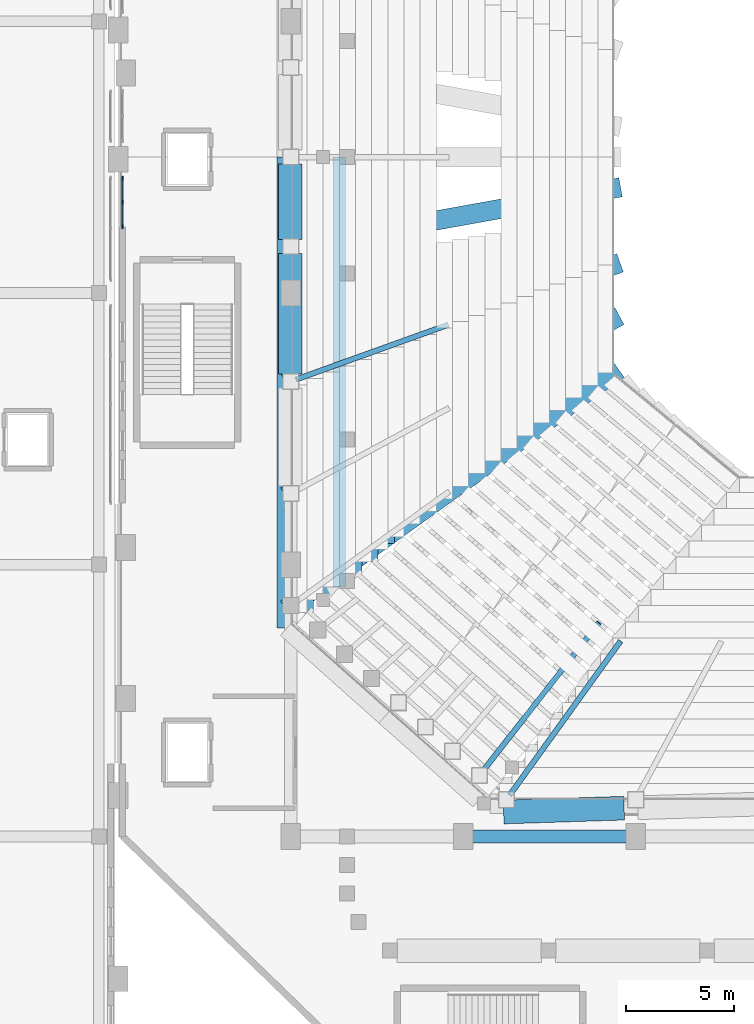
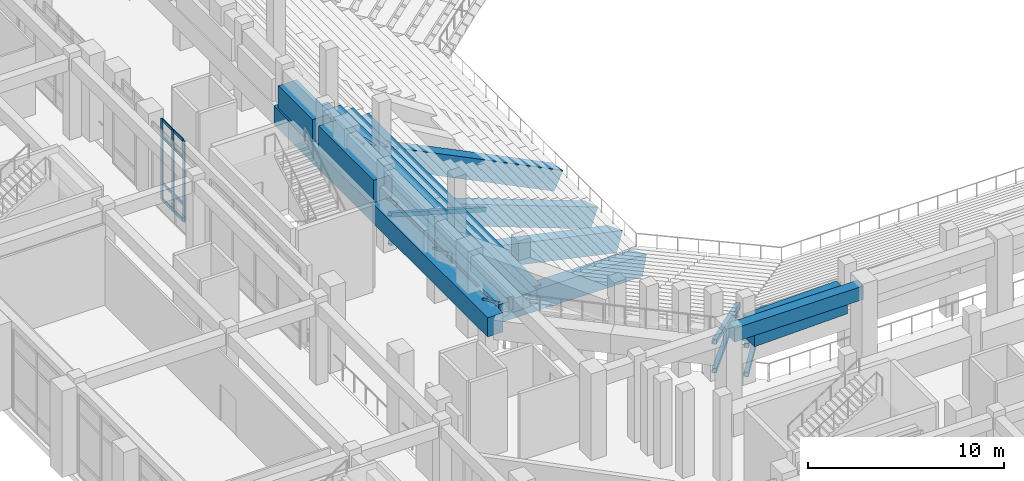
# One storey, part 30 of 159: 17 members, 15 beams, 1 element without a shape of its own.
"""IFC4 building model written with IfcOpenShell, lengths in metres."""

from ifc_helpers import new_model, si_unit, derived_unit, direction, frame, origin, origin_2d, place, context, subcontext, project, spatial, rectangle, hollow_rectangle, extrude, material, layer, layer_set, material_profile, profile_set, type_object, element, aggregate, save


model = new_model("IFC4")

# Units and contexts
model_context = context("Model", 3, precision=1e-05, world=origin(), true_north=direction((0.0, 1.0)))
body_context = subcontext(model_context, "Body", "Model", "MODEL_VIEW")
ifc_project = project(units=[si_unit("LENGTHUNIT", "METRE"), si_unit("AREAUNIT", "SQUARE_METRE"), si_unit("VOLUMEUNIT", "CUBIC_METRE"), si_unit("PLANEANGLEUNIT", "RADIAN"), si_unit("MASSUNIT", "GRAM", prefix="KILO"), derived_unit("THERMALTRANSMITTANCEUNIT", [(si_unit("MASSUNIT", "GRAM", prefix="KILO"), 1), (si_unit("TIMEUNIT", "SECOND"), -3), (si_unit("THERMODYNAMICTEMPERATUREUNIT", "KELVIN"), -1)])], contexts=[model_context])

# Site, building, storey
site_placement = place(None, origin())
site = spatial("IfcSite", under=ifc_project, at=site_placement, CompositionType="ELEMENT")
building_placement = place(site_placement, origin())
building = spatial("IfcBuilding", under=site, at=building_placement, Name="Valcora Ridge Arena", CompositionType="ELEMENT")
storey_placement = place(building_placement, frame((0.0, 0.0, 6.0)))
storey = spatial("IfcBuildingStorey", under=building, at=storey_placement, Name="L01", CompositionType="ELEMENT", Elevation=6.0)

# Beams
ifc_material_1 = material(Name="Concrete C40/50", Category="concrete")
ifc_material_profile_1 = material_profile(ifc_material_1, rectangle(XDim=0.60009765625, YDim=0.85009765625, at=origin_2d()), Name="RC 600x850")
ifc_profile_set_1 = profile_set([ifc_material_profile_1], Name="Concrete C40/50")
beam_type_1 = type_object("IfcBeamType", Name="TY-BEAM-B-RC600-X", PredefinedType="BEAM", material=ifc_profile_set_1)
beam_1_placement = place(storey_placement, frame((28.5, 63.820068359375, 0.135009765625), z_axis=(0.0, -1.0, 0.0), x_axis=(1.0, 0.0, 0.0)))
element("IfcBeam", 1, at=beam_1_placement, inside=storey, type_object=beam_type_1, Name="B-RC600-X BEM-R2-B-RC600-X-0167", PredefinedType="BEAM", context=body_context, shape_type="SweptSolid", body=[
    extrude(rectangle(XDim=0.60009765625, YDim=0.85009765625, at=origin_2d()), origin(), (0.0, 0.0, 1.0), 17.630126953125),
])
beam_2_placement = place(storey_placement, frame((27.75, 64.10009765625, 0.574951171875), z_axis=(0.0, -1.0, 0.0), x_axis=(1.0, 0.0, 0.0)))
element("IfcBeam", 2, at=beam_2_placement, inside=storey, type_object=beam_type_1, Name="B-RC600-X BEM-R2-B-RC600-X-0179", PredefinedType="BEAM", context=body_context, shape_type="SweptSolid", body=[
    extrude(rectangle(XDim=0.60009765625, YDim=0.85009765625, at=origin_2d()), origin(), (0.0, 0.0, 1.0), 18.775146484375),
])
beam_3_placement = place(storey_placement, frame((27.0, 64.10009765625, 1.014892578125), z_axis=(0.0, -1.0, 0.0), x_axis=(1.0, 0.0, 0.0)))
element("IfcBeam", 3, at=beam_3_placement, inside=storey, type_object=beam_type_1, Name="B-RC600-X BEM-R2-B-RC600-X-0191", PredefinedType="BEAM", context=body_context, shape_type="SweptSolid", body=[
    extrude(rectangle(XDim=0.60009765625, YDim=0.85009765625, at=origin_2d()), origin(), (0.0, 0.0, 1.0), 19.360107421875),
])
beam_4_placement = place(storey_placement, frame((26.25, 64.10009765625, 1.455078125), z_axis=(0.0, -1.0, 0.0), x_axis=(1.0, 0.0, 0.0)))
element("IfcBeam", 4, at=beam_4_placement, inside=storey, type_object=beam_type_1, Name="B-RC600-X BEM-R2-B-RC600-X-0203", PredefinedType="BEAM", context=body_context, shape_type="SweptSolid", body=[
    extrude(rectangle(XDim=0.60009765625, YDim=0.85009765625, at=origin_2d()), origin(), (0.0, 0.0, 1.0), 19.945068359375),
])
beam_5_placement = place(storey_placement, frame((25.5, 63.820068359375, 1.89501953125), z_axis=(0.0, -1.0, 0.0), x_axis=(1.0, 0.0, 0.0)))
element("IfcBeam", 5, at=beam_5_placement, inside=storey, type_object=beam_type_1, Name="B-RC600-X BEM-R2-B-RC600-X-0215", PredefinedType="BEAM", context=body_context, shape_type="SweptSolid", body=[
    extrude(rectangle(XDim=0.60009765625, YDim=0.85009765625, at=origin_2d()), origin(), (0.0, 0.0, 1.0), 19.969970703125),
])
beam_6_placement = place(storey_placement, frame((24.75, 64.10009765625, 2.3349609375), z_axis=(0.0, -1.0, 0.0), x_axis=(1.0, 0.0, 0.0)))
element("IfcBeam", 6, at=beam_6_placement, inside=storey, type_object=beam_type_1, Name="B-RC600-X BEM-R2-B-RC600-X-0227", PredefinedType="BEAM", context=body_context, shape_type="SweptSolid", body=[
    extrude(rectangle(XDim=0.60009765625, YDim=0.85009765625, at=origin_2d()), origin(), (0.0, 0.0, 1.0), 21.114990234375),
])
ifc_material_profile_2 = material_profile(ifc_material_1, rectangle(XDim=0.60009765625, YDim=0.85009765625, at=origin_2d()), Name="RC 600x850")
ifc_profile_set_2 = profile_set([ifc_material_profile_2], Name="Concrete C40/50")
beam_type_2 = type_object("IfcBeamType", Name="TY-BEAM-EB-RC600", PredefinedType="BEAM", material=ifc_profile_set_2)
beam_7_placement = place(storey_placement, frame((32.199951171875, 32.60009765625, 4.614990234375), z_axis=(1.0, 0.0, 0.0), x_axis=(0.0, 1.0, 0.0)))
element("IfcBeam", 7, at=beam_7_placement, inside=storey, type_object=beam_type_2, Name="EB-RC600 BEM-EB-RC600-0018", PredefinedType="BEAM", context=body_context, shape_type="SweptSolid", body=[
    extrude(rectangle(XDim=0.60009765625, YDim=0.85009765625, at=origin_2d()), origin(), (0.0, 0.0, 1.0), 7.60009765625),
])
ifc_material_profile_3 = material_profile(ifc_material_1, rectangle(XDim=0.89990234375, YDim=1.199951171875, at=origin_2d()), Name="RC 900x1200")
ifc_profile_set_3 = profile_set([ifc_material_profile_3], Name="Concrete C40/50")
beam_type_3 = type_object("IfcBeamType", Name="TY-BEAM-RKR-LOW-1200", PredefinedType="USERDEFINED", material=ifc_profile_set_3)
beam_8_placement = place(storey_placement, frame((39.0, 59.10009765625, -6.489990234375), z_axis=(-0.823725288993, -0.29654914823, 0.48325485094), x_axis=(0.338727602401, -0.940884483543, 0.0)))
element("IfcBeam", 8, at=beam_8_placement, inside=storey, type_object=beam_type_3, Name="RKR-LOW-1200 BEM-RK-RKR-LOW-1200-0051", ObjectType="RAKER", PredefinedType="USERDEFINED", context=body_context, shape_type="SweptSolid", body=[
    extrude(rectangle(XDim=0.89990234375, YDim=1.199951171875, at=origin_2d()), origin(), (0.0, 0.0, 1.0), 18.2099609375),
])
beam_9_placement = place(storey_placement, frame((39.0, 56.60009765625, -6.489990234375), z_axis=(-0.781873344716, -0.422216696468, 0.458701574061), x_axis=(0.475153349953, -0.879903002625, 0.0)))
element("IfcBeam", 9, at=beam_9_placement, inside=storey, type_object=beam_type_3, Name="RKR-LOW-1200 BEM-RK-RKR-LOW-1200-0052", ObjectType="RAKER", PredefinedType="USERDEFINED", context=body_context, shape_type="SweptSolid", body=[
    extrude(rectangle(XDim=0.89990234375, YDim=1.199951171875, at=origin_2d()), origin(), (0.0, 0.0, 1.0), 19.184814453125),
])
beam_10_placement = place(storey_placement, frame((39.0, 54.10009765625, -6.489990234375), z_axis=(-0.732726332999, -0.527565344936, 0.429868500536), x_axis=(0.584306465642, -0.811533088795, 0.0)))
element("IfcBeam", 10, at=beam_10_placement, inside=storey, type_object=beam_type_3, Name="RKR-LOW-1200 BEM-RK-RKR-LOW-1200-0053", ObjectType="RAKER", PredefinedType="USERDEFINED", context=body_context, shape_type="SweptSolid", body=[
    extrude(rectangle(XDim=0.89990234375, YDim=1.199951171875, at=origin_2d()), origin(), (0.0, 0.0, 1.0), 20.471435546875),
])
beam_11_placement = place(storey_placement, frame((39.0, 62.64990234375, -6.2900390625), z_axis=(-0.852313181593, -0.15341359823, 0.500026507658), x_axis=(0.177149895134, -0.984183882541, 0.0)))
element("IfcBeam", 11, at=beam_11_placement, inside=storey, type_object=beam_type_3, Name="RKR-LOW-1200 BEM-RKN-RKR-LOW-1200-0004", ObjectType="RAKER", PredefinedType="USERDEFINED", context=body_context, shape_type="SweptSolid", body=[
    extrude(rectangle(XDim=0.89990234375, YDim=1.199951171875, at=origin_2d()), origin(), (0.0, 0.0, 1.0), 17.59912109375),
])
ifc_material_2 = material(Name="Concrete C45/55", Category="concrete")
ifc_material_profile_4 = material_profile(ifc_material_2, rectangle(XDim=0.89990234375, YDim=1.199951171875, at=origin_2d()), Name="RC 900x1200")
ifc_profile_set_4 = profile_set([ifc_material_profile_4], Name="Concrete C45/55")
beam_type_4 = type_object("IfcBeamType", Name="TY-BEAM-RKR-RING-850", PredefinedType="USERDEFINED", material=ifc_profile_set_4)
beam_12_placement = place(storey_placement, frame((23.820068359375, 64.10009765625, 2.159912109375), z_axis=(0.0, -1.0, 0.0), x_axis=(1.0, 0.0, 0.0)))
element("IfcBeam", 12, at=beam_12_placement, inside=storey, type_object=beam_type_4, Name="RKR-RING-850 BEM-R2-RKR-RING-850-0014", ObjectType="RAKER", PredefinedType="USERDEFINED", context=body_context, shape_type="SweptSolid", body=[
    extrude(rectangle(XDim=0.89990234375, YDim=1.199951171875, at=origin_2d()), origin(), (0.0, 0.0, 1.0), 21.840576171875),
])
ifc_material_profile_5 = material_profile(ifc_material_2, rectangle(XDim=1.10009765625, YDim=1.39990234375, at=origin_2d()), Name="RC 1100x1400")
ifc_profile_set_5 = profile_set([ifc_material_profile_5], Name="Concrete C45/55")
beam_type_5 = type_object("IfcBeamType", Name="TY-BEAM-RKR-URING-1100", PredefinedType="USERDEFINED", material=ifc_profile_set_5)
beam_13_placement = place(storey_placement, frame((23.983154296875, 59.63818359375, 3.47509765625), z_axis=(0.0, -1.0, 0.0), x_axis=(1.0, 0.0, 0.0)))
element("IfcBeam", 13, at=beam_13_placement, inside=storey, type_object=beam_type_5, Name="RKR-URING-1100 BEM-RU2-RKR-URING-1100-0001", ObjectType="RAKER", PredefinedType="USERDEFINED", context=body_context, shape_type="SweptSolid", body=[
    extrude(rectangle(XDim=1.10009765625, YDim=1.39990234375, at=origin_2d()), origin(), (0.0, 0.0, 1.0), 5.6005859375),
])
beam_14_placement = place(storey_placement, frame((33.871826171875, 33.7294921875, 3.47509765625), z_axis=(0.999483467734, 0.032137170478, 0.0), x_axis=(-0.032137170478, 0.999483467734, 0.0)))
element("IfcBeam", 14, at=beam_14_placement, inside=storey, type_object=beam_type_5, Name="RKR-URING-1100 BEM-RU2-RKR-URING-1100-0004", ObjectType="RAKER", PredefinedType="USERDEFINED", context=body_context, shape_type="SweptSolid", body=[
    extrude(rectangle(XDim=1.10009765625, YDim=1.39990234375, at=origin_2d()), origin(), (0.0, 0.0, 1.0), 5.59130859375),
])
beam_15_placement = place(storey_placement, frame((23.983154296875, 63.780029296875, 3.47509765625), z_axis=(0.0, -1.0, 0.0), x_axis=(1.0, 0.0, 0.0)))
element("IfcBeam", 15, at=beam_15_placement, inside=storey, type_object=beam_type_5, Name="RKR-URING-1100 BEM-RU2-RKR-URING-1100-0034", ObjectType="RAKER", PredefinedType="USERDEFINED", context=body_context, shape_type="SweptSolid", body=[
    extrude(rectangle(XDim=1.10009765625, YDim=1.39990234375, at=origin_2d()), origin(), (0.0, 0.0, 1.0), 3.501953125),
])

# Curtain wall, members
ifc_material_3 = material(Name="Anodised dark bronze architectural aluminium 6063-T6", Category="aluminium")
ifc_layer = layer(ifc_material_3, 0.179931640625, Name="Anodised dark bronze architectural aluminium 6063-T6")
ifc_layer_set = layer_set([ifc_layer], Name="Anodised dark bronze architectural aluminium 6063-T6")
curtain_wall_type = type_object("IfcCurtainWallType", Name="TY-CURTAINWALL-CW-V1-GOTH-023X50", PredefinedType="NOTDEFINED", material=ifc_layer_set)
curtain_wall_placement = place(storey_placement, origin())
curtain_wall = element("IfcCurtainWall", 16, at=curtain_wall_placement, inside=storey, type_object=curtain_wall_type, Name="CW-V1-GOTH-023X50 CW-0092", PredefinedType="NOTDEFINED")
ifc_material_profile_6 = material_profile(ifc_material_3, rectangle(XDim=0.06005859375, YDim=0.179931640625, at=origin_2d()), Name="ALU MULLION 60x180")
ifc_profile_set_6 = profile_set([ifc_material_profile_6], Name="Anodised dark bronze architectural aluminium 6063-T6")
member_type_1 = type_object("IfcMemberType", Name="TY-MEM-CWM-60x180", PredefinedType="MULLION", material=ifc_profile_set_6)
member_1_placement = place(storey_placement, frame((16.199951171875, 60.8798828125, 0.0), z_axis=(0.0, 0.0, 1.0), x_axis=(-1.0, 0.0, 0.0)))
member_1 = element("IfcMember", 17, at=member_1_placement, type_object=member_type_1, Name="CW-0092/CWM-60x180/M00", PredefinedType="MULLION", context=body_context, shape_type="SweptSolid", body=[
    extrude(rectangle(XDim=0.06005859375, YDim=0.179931640625, at=origin_2d()), origin(), (0.0, 0.0, 1.0), 5.0400390625),
])
member_2_placement = place(storey_placement, frame((16.199951171875, 62.0048828125, 0.0), z_axis=(0.0, 0.0, 1.0), x_axis=(-1.0, 0.0, 0.0)))
member_2 = element("IfcMember", 18, at=member_2_placement, type_object=member_type_1, Name="CW-0092/CWM-60x180/M01", PredefinedType="MULLION", context=body_context, shape_type="SweptSolid", body=[
    extrude(rectangle(XDim=0.06005859375, YDim=0.179931640625, at=origin_2d()), origin(), (0.0, 0.0, 1.0), 5.0400390625),
])
member_3_placement = place(storey_placement, frame((16.199951171875, 63.1298828125, 0.0), z_axis=(0.0, 0.0, 1.0), x_axis=(-1.0, 0.0, 0.0)))
member_3 = element("IfcMember", 19, at=member_3_placement, type_object=member_type_1, Name="CW-0092/CWM-60x180/M02", PredefinedType="MULLION", context=body_context, shape_type="SweptSolid", body=[
    extrude(rectangle(XDim=0.06005859375, YDim=0.179931640625, at=origin_2d()), origin(), (0.0, 0.0, 1.0), 5.0400390625),
])
ifc_material_profile_7 = material_profile(ifc_material_3, rectangle(XDim=0.06005859375, YDim=0.179931640625, at=origin_2d()), Name="ALU TRANSOM 60x180")
ifc_profile_set_7 = profile_set([ifc_material_profile_7], Name="Anodised dark bronze architectural aluminium 6063-T6")
member_type_2 = type_object("IfcMemberType", Name="TY-MEM-CWT-60x180", PredefinedType="USERDEFINED", material=ifc_profile_set_7)
member_4_placement = place(storey_placement, frame((16.199951171875, 60.909912109375, 0.030029296875), z_axis=(0.0, 1.0, 0.0), x_axis=(-1.0, 0.0, 0.0)))
member_4 = element("IfcMember", 20, at=member_4_placement, type_object=member_type_2, Name="CW-0092/CWT-60x180/T00-00", ObjectType="TRANSOM", PredefinedType="USERDEFINED", context=body_context, shape_type="SweptSolid", body=[
    extrude(rectangle(XDim=0.06005859375, YDim=0.179931640625, at=origin_2d()), origin(), (0.0, 0.0, 1.0), 1.065185546875),
])
member_5_placement = place(storey_placement, frame((16.199951171875, 60.909912109375, 1.050048828125), z_axis=(0.0, 1.0, 0.0), x_axis=(-1.0, 0.0, 0.0)))
member_5 = element("IfcMember", 21, at=member_5_placement, type_object=member_type_2, Name="CW-0092/CWT-60x180/T00-01", ObjectType="TRANSOM", PredefinedType="USERDEFINED", context=body_context, shape_type="SweptSolid", body=[
    extrude(rectangle(XDim=0.06005859375, YDim=0.179931640625, at=origin_2d()), origin(), (0.0, 0.0, 1.0), 1.065185546875),
])
member_6_placement = place(storey_placement, frame((16.199951171875, 60.909912109375, 3.93994140625), z_axis=(0.0, 1.0, 0.0), x_axis=(-1.0, 0.0, 0.0)))
member_6 = element("IfcMember", 22, at=member_6_placement, type_object=member_type_2, Name="CW-0092/CWT-60x180/T00-02", ObjectType="TRANSOM", PredefinedType="USERDEFINED", context=body_context, shape_type="SweptSolid", body=[
    extrude(rectangle(XDim=0.06005859375, YDim=0.179931640625, at=origin_2d()), origin(), (0.0, 0.0, 1.0), 1.065185546875),
])
member_7_placement = place(storey_placement, frame((16.199951171875, 60.909912109375, 5.010009765625), z_axis=(0.0, 1.0, 0.0), x_axis=(-1.0, 0.0, 0.0)))
member_7 = element("IfcMember", 23, at=member_7_placement, type_object=member_type_2, Name="CW-0092/CWT-60x180/T00-03", ObjectType="TRANSOM", PredefinedType="USERDEFINED", context=body_context, shape_type="SweptSolid", body=[
    extrude(rectangle(XDim=0.06005859375, YDim=0.179931640625, at=origin_2d()), origin(), (0.0, 0.0, 1.0), 1.065185546875),
])
member_8_placement = place(storey_placement, frame((16.199951171875, 62.034912109375, 0.030029296875), z_axis=(0.0, 1.0, 0.0), x_axis=(-1.0, 0.0, 0.0)))
member_8 = element("IfcMember", 24, at=member_8_placement, type_object=member_type_2, Name="CW-0092/CWT-60x180/T01-00", ObjectType="TRANSOM", PredefinedType="USERDEFINED", context=body_context, shape_type="SweptSolid", body=[
    extrude(rectangle(XDim=0.06005859375, YDim=0.179931640625, at=origin_2d()), origin(), (0.0, 0.0, 1.0), 1.065185546875),
])
member_9_placement = place(storey_placement, frame((16.199951171875, 62.034912109375, 1.050048828125), z_axis=(0.0, 1.0, 0.0), x_axis=(-1.0, 0.0, 0.0)))
member_9 = element("IfcMember", 25, at=member_9_placement, type_object=member_type_2, Name="CW-0092/CWT-60x180/T01-01", ObjectType="TRANSOM", PredefinedType="USERDEFINED", context=body_context, shape_type="SweptSolid", body=[
    extrude(rectangle(XDim=0.06005859375, YDim=0.179931640625, at=origin_2d()), origin(), (0.0, 0.0, 1.0), 1.065185546875),
])
member_10_placement = place(storey_placement, frame((16.199951171875, 62.034912109375, 3.93994140625), z_axis=(0.0, 1.0, 0.0), x_axis=(-1.0, 0.0, 0.0)))
member_10 = element("IfcMember", 26, at=member_10_placement, type_object=member_type_2, Name="CW-0092/CWT-60x180/T01-02", ObjectType="TRANSOM", PredefinedType="USERDEFINED", context=body_context, shape_type="SweptSolid", body=[
    extrude(rectangle(XDim=0.06005859375, YDim=0.179931640625, at=origin_2d()), origin(), (0.0, 0.0, 1.0), 1.065185546875),
])
member_11_placement = place(storey_placement, frame((16.199951171875, 62.034912109375, 5.010009765625), z_axis=(0.0, 1.0, 0.0), x_axis=(-1.0, 0.0, 0.0)))
member_11 = element("IfcMember", 27, at=member_11_placement, type_object=member_type_2, Name="CW-0092/CWT-60x180/T01-03", ObjectType="TRANSOM", PredefinedType="USERDEFINED", context=body_context, shape_type="SweptSolid", body=[
    extrude(rectangle(XDim=0.06005859375, YDim=0.179931640625, at=origin_2d()), origin(), (0.0, 0.0, 1.0), 1.065185546875),
])
aggregate(curtain_wall, [member_1, member_2, member_3, member_4, member_5, member_6, member_7, member_8, member_9, member_10, member_11])

# Members
ifc_material_4 = material(Name="Steel ASTM A500 Grade C", Category="steel")
ifc_material_profile_8 = material_profile(ifc_material_4, hollow_rectangle(XDim=0.25, YDim=0.25, WallThickness=0.012451171875, at=origin_2d()), Name="HSS250X250X12")
ifc_profile_set_8 = profile_set([ifc_material_profile_8], Name="Steel ASTM A500 Grade C")
member_type_3 = type_object("IfcMemberType", Name="TY-MEMBER-RKRC-253", PredefinedType="CHORD", material=ifc_profile_set_8)
member_12_placement = place(storey_placement, frame((39.26318359375, 41.610107421875, -1.8466796875), z_axis=(-0.569779115375, -0.791367453476, 0.221561082463), x_axis=(0.811536992157, -0.584301044293, 0.0)))
element("IfcMember", 28, at=member_12_placement, inside=storey, type_object=member_type_3, Name="RKRC-253 MBR-RK-RKRC-253-0001", PredefinedType="CHORD", context=body_context, shape_type="SweptSolid", body=[
    extrude(hollow_rectangle(XDim=0.25, YDim=0.25, WallThickness=0.012451171875, at=origin_2d()), origin(), (0.0, 0.0, 1.0), 8.95751953125),
])
member_13_placement = place(storey_placement, frame((31.281494140625, 56.3212890625, -1.8388671875), z_axis=(-0.909842319081, -0.327538176853, 0.254765965375), x_axis=(0.338714837769, -0.940889078837, 0.0)))
element("IfcMember", 29, at=member_13_placement, inside=storey, type_object=member_type_3, Name="RKRC-253 MBR-RK-RKRC-253-0051", PredefinedType="CHORD", context=body_context, shape_type="SweptSolid", body=[
    extrude(hollow_rectangle(XDim=0.25, YDim=0.25, WallThickness=0.012451171875, at=origin_2d()), origin(), (0.0, 0.0, 1.0), 7.722900390625),
])
member_14_placement = place(storey_placement, frame((38.268310546875, 42.478271484375, -1.846435546875), z_axis=(-0.600703415126, -0.767806090065, 0.222776154729), x_axis=(0.787598742153, -0.616188462533, 0.0)))
element("IfcMember", 30, at=member_14_placement, inside=storey, type_object=member_type_3, Name="RKRC-253 MBR-RK-RKRC-253-0060", PredefinedType="CHORD", context=body_context, shape_type="SweptSolid", body=[
    extrude(hollow_rectangle(XDim=0.25, YDim=0.25, WallThickness=0.012451171875, at=origin_2d()), origin(), (0.0, 0.0, 1.0), 8.906494140625),
])
ifc_material_profile_9 = material_profile(ifc_material_4, hollow_rectangle(XDim=0.25, YDim=0.25, WallThickness=0.012451171875, at=origin_2d()), Name="HSS250X250X12")
ifc_profile_set_9 = profile_set([ifc_material_profile_9], Name="Steel ASTM A500 Grade C")
member_type_4 = type_object("IfcMemberType", Name="TY-MEMBER-RKRD-253", PredefinedType="BRACE", material=ifc_profile_set_9)
member_15_placement = place(storey_placement, frame((39.270751953125, 41.62060546875, -1.756591796875), z_axis=(-0.538344168053, -0.747680268114, 0.388792712633), x_axis=(0.811526942923, -0.584315001442, 0.0)))
element("IfcMember", 31, at=member_15_placement, inside=storey, type_object=member_type_4, Name="RKRD-253 Raker Diagonal Brace", PredefinedType="BRACE", context=body_context, shape_type="SweptSolid", body=[
    extrude(hollow_rectangle(XDim=0.25, YDim=0.25, WallThickness=0.012451171875, at=origin_2d()), origin(), (0.0, 0.0, 1.0), 9.5107421875),
])
member_16_placement = place(storey_placement, frame((31.297119140625, 56.326904296875, -1.744384765625), z_axis=(-0.845160099491, -0.304251791003, 0.439471562107), x_axis=(0.338713707959, -0.940889485562, 0.0)))
element("IfcMember", 32, at=member_16_placement, inside=storey, type_object=member_type_4, Name="RKRD-253 Raker Diagonal Brace", PredefinedType="BRACE", context=body_context, shape_type="SweptSolid", body=[
    extrude(hollow_rectangle(XDim=0.25, YDim=0.25, WallThickness=0.012451171875, at=origin_2d()), origin(), (0.0, 0.0, 1.0), 8.35400390625),
])
member_17_placement = place(storey_placement, frame((38.2763671875, 42.488525390625, -1.756103515625), z_axis=(-0.56723559098, -0.725001698451, 0.390661389913), x_axis=(0.787587793591, -0.616202456492, 0.0)))
element("IfcMember", 33, at=member_17_placement, inside=storey, type_object=member_type_4, Name="RKRD-253 Raker Diagonal Brace", PredefinedType="BRACE", context=body_context, shape_type="SweptSolid", body=[
    extrude(hollow_rectangle(XDim=0.25, YDim=0.25, WallThickness=0.012451171875, at=origin_2d()), origin(), (0.0, 0.0, 1.0), 9.462890625),
])

save(model, "model.ifc")
